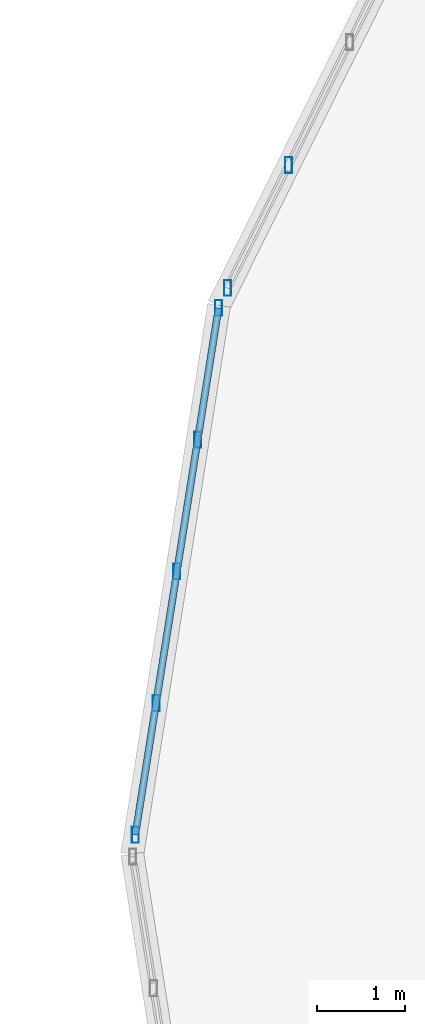
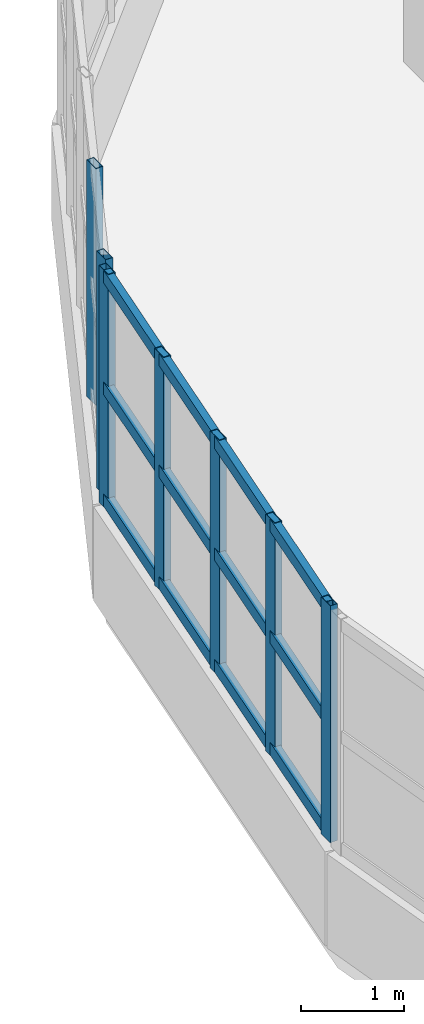
# One storey, part 11 of 52: 10 members, 2 elements without a shape of their own.
"""IFC4 building model written with IfcOpenShell, lengths in metres."""

from ifc_helpers import new_model, si_unit, direction, frame, origin, origin_2d, place, context, subcontext, project, spatial, hollow_rectangle, extrude, material, material_profile, profile_set, type_object, element, aggregate, save


model = new_model("IFC4")

# Units and contexts
model_context = context("Model", 3, precision=1e-05, world=origin(), true_north=direction((0.0, 1.0)))
body_context = subcontext(model_context, "Body", "Model", "MODEL_VIEW")
ifc_project = project(units=[si_unit("LENGTHUNIT", "METRE"), si_unit("AREAUNIT", "SQUARE_METRE"), si_unit("VOLUMEUNIT", "CUBIC_METRE"), si_unit("PLANEANGLEUNIT", "RADIAN"), si_unit("MASSUNIT", "GRAM", prefix="KILO")], contexts=[model_context])

# Site, building, storey
site_placement = place(None, origin())
site = spatial("IfcSite", under=ifc_project, at=site_placement, CompositionType="ELEMENT")
building_placement = place(site_placement, origin())
building = spatial("IfcBuilding", under=site, at=building_placement, Name="Solvento Point Concert Hall", CompositionType="ELEMENT")
storey_placement = place(building_placement, frame((0.0, 0.0, 19.5)))
storey = spatial("IfcBuildingStorey", under=building, at=storey_placement, Name="L04", CompositionType="ELEMENT", Elevation=19.5)

# Curtain wall, members
ifc_material_1 = material(Name="Anodized Bronze Aluminium", Category="aluminium")
curtain_wall_type = type_object("IfcCurtainWallType", Name="CurtainWall_RingRibbon_L03_04", PredefinedType="USERDEFINED", material=ifc_material_1)
curtain_wall_1_placement = place(storey_placement, origin())
curtain_wall_1 = element("IfcCurtainWall", 1, at=curtain_wall_1_placement, inside=storey, type_object=curtain_wall_type, Name="Unitised curtain wall CW-31 UCW-L04-215", ObjectType="UNITISED CURTAIN WALL", PredefinedType="USERDEFINED")
ifc_material_2 = material(Name="Anodized Bronze Aluminium", Category="aluminium")
ifc_material_profile_1 = material_profile(ifc_material_2, hollow_rectangle(XDim=0.080078125, YDim=0.179931640625, WallThickness=0.00390625, at=origin_2d()), Name="CW-MUL-80X180")
ifc_profile_set_1 = profile_set([ifc_material_profile_1], Name="Anodized Bronze Aluminium")
member_type_1 = type_object("IfcMemberType", Name="Mullion_80x180", PredefinedType="MULLION", material=ifc_profile_set_1)
member_1_placement = place(storey_placement, frame((32.434326171875, 30.417236328125, 1.1201171875), z_axis=(0.0, 0.0, 1.0), x_axis=(1.0, 0.0, 0.0)))
member_1 = element("IfcMember", 2, at=member_1_placement, type_object=member_type_1, Name="Curtain wall mullion ML-01", PredefinedType="MULLION", context=body_context, shape_type="SweptSolid", body=[
    extrude(hollow_rectangle(XDim=0.080078125, YDim=0.179931640625, WallThickness=0.00390625, at=origin_2d()), origin(), (0.0, 0.0, 1.0), 2.81982421875),
])
member_2_placement = place(storey_placement, frame((32.669921875, 31.908447265625, 1.1201171875), z_axis=(0.0, 0.0, 1.0), x_axis=(1.0, 0.0, 0.0)))
member_2 = element("IfcMember", 3, at=member_2_placement, type_object=member_type_1, Name="Curtain wall mullion ML-01", PredefinedType="MULLION", context=body_context, shape_type="SweptSolid", body=[
    extrude(hollow_rectangle(XDim=0.080078125, YDim=0.179931640625, WallThickness=0.00390625, at=origin_2d()), origin(), (0.0, 0.0, 1.0), 2.81982421875),
])
member_3_placement = place(storey_placement, frame((32.905517578125, 33.399658203125, 1.1201171875), z_axis=(0.0, 0.0, 1.0), x_axis=(1.0, 0.0, 0.0)))
member_3 = element("IfcMember", 4, at=member_3_placement, type_object=member_type_1, Name="Curtain wall mullion ML-01", PredefinedType="MULLION", context=body_context, shape_type="SweptSolid", body=[
    extrude(hollow_rectangle(XDim=0.080078125, YDim=0.179931640625, WallThickness=0.00390625, at=origin_2d()), origin(), (0.0, 0.0, 1.0), 2.81982421875),
])
member_4_placement = place(storey_placement, frame((33.14111328125, 34.890869140625, 1.1201171875), z_axis=(0.0, 0.0, 1.0), x_axis=(1.0, 0.0, 0.0)))
member_4 = element("IfcMember", 5, at=member_4_placement, type_object=member_type_1, Name="Curtain wall mullion ML-01", PredefinedType="MULLION", context=body_context, shape_type="SweptSolid", body=[
    extrude(hollow_rectangle(XDim=0.080078125, YDim=0.179931640625, WallThickness=0.00390625, at=origin_2d()), origin(), (0.0, 0.0, 1.0), 2.81982421875),
])
member_5_placement = place(storey_placement, frame((33.376708984375, 36.382080078125, 1.1201171875), z_axis=(0.0, 0.0, 1.0), x_axis=(1.0, 0.0, 0.0)))
member_5 = element("IfcMember", 6, at=member_5_placement, type_object=member_type_1, Name="Curtain wall mullion ML-01", PredefinedType="MULLION", context=body_context, shape_type="SweptSolid", body=[
    extrude(hollow_rectangle(XDim=0.080078125, YDim=0.179931640625, WallThickness=0.00390625, at=origin_2d()), origin(), (0.0, 0.0, 1.0), 2.81982421875),
])

curtain_wall_2_placement = place(storey_placement, origin())
curtain_wall_2 = element("IfcCurtainWall", 7, at=curtain_wall_2_placement, inside=storey, type_object=curtain_wall_type, Name="Unitised curtain wall CW-31 UCW-L04-216", ObjectType="UNITISED CURTAIN WALL", PredefinedType="USERDEFINED")
member_6_placement = place(storey_placement, frame((33.479248046875, 36.608642578125, 1.1201171875), z_axis=(0.0, 0.0, 1.0), x_axis=(1.0, 0.0, 0.0)))
member_6 = element("IfcMember", 8, at=member_6_placement, type_object=member_type_1, Name="Curtain wall mullion ML-01", PredefinedType="MULLION", context=body_context, shape_type="SweptSolid", body=[
    extrude(hollow_rectangle(XDim=0.080078125, YDim=0.179931640625, WallThickness=0.00390625, at=origin_2d()), origin(), (0.0, 0.0, 1.0), 2.81982421875),
])
member_7_placement = place(storey_placement, frame((34.170654296875, 37.999755859375, 1.1201171875), z_axis=(0.0, 0.0, 1.0), x_axis=(1.0, 0.0, 0.0)))
member_7 = element("IfcMember", 9, at=member_7_placement, type_object=member_type_1, Name="Curtain wall mullion ML-01", PredefinedType="MULLION", context=body_context, shape_type="SweptSolid", body=[
    extrude(hollow_rectangle(XDim=0.080078125, YDim=0.179931640625, WallThickness=0.00390625, at=origin_2d()), origin(), (0.0, 0.0, 1.0), 2.81982421875),
])
aggregate(curtain_wall_2, [member_6, member_7])

# Member
ifc_material_3 = material(Name="Anodized Bronze Aluminium", Category="aluminium")
ifc_material_profile_2 = material_profile(ifc_material_3, hollow_rectangle(XDim=0.080078125, YDim=0.14990234375, WallThickness=0.00390625, at=origin_2d()), Name="CW-TRN-80X150")
ifc_profile_set_2 = profile_set([ifc_material_profile_2], Name="Anodized Bronze Aluminium")
member_type_2 = type_object("IfcMemberType", Name="Transom_80x150", PredefinedType="USERDEFINED", material=ifc_profile_set_2)
member_8_placement = place(storey_placement, frame((32.434326171875, 30.417236328125, 1.199951171875), z_axis=(0.15605391931, 0.987748537973, 0.0), x_axis=(-0.987748537973, 0.15605391931, 0.0)))
member_8 = element("IfcMember", 10, at=member_8_placement, type_object=member_type_2, Name="Curtain wall transom TR-01", ObjectType="TRANSOM", PredefinedType="USERDEFINED", context=body_context, shape_type="SweptSolid", body=[
    extrude(hollow_rectangle(XDim=0.080078125, YDim=0.14990234375, WallThickness=0.00390625, at=origin_2d()), origin(), (0.0, 0.0, 1.0), 6.038818359375),
])

member_9_placement = place(storey_placement, frame((32.434326171875, 30.417236328125, 2.530029296875), z_axis=(0.15605391931, 0.987748537973, 0.0), x_axis=(-0.987748537973, 0.15605391931, 0.0)))
member_9 = element("IfcMember", 11, at=member_9_placement, type_object=member_type_2, Name="Curtain wall transom TR-01", ObjectType="TRANSOM", PredefinedType="USERDEFINED", context=body_context, shape_type="SweptSolid", body=[
    extrude(hollow_rectangle(XDim=0.080078125, YDim=0.14990234375, WallThickness=0.00390625, at=origin_2d()), origin(), (0.0, 0.0, 1.0), 6.038818359375),
])

member_10_placement = place(storey_placement, frame((32.434326171875, 30.417236328125, 3.860107421875), z_axis=(0.15605391931, 0.987748537973, 0.0), x_axis=(-0.987748537973, 0.15605391931, 0.0)))
member_10 = element("IfcMember", 12, at=member_10_placement, type_object=member_type_2, Name="Curtain wall transom TR-01", ObjectType="TRANSOM", PredefinedType="USERDEFINED", context=body_context, shape_type="SweptSolid", body=[
    extrude(hollow_rectangle(XDim=0.080078125, YDim=0.14990234375, WallThickness=0.00390625, at=origin_2d()), origin(), (0.0, 0.0, 1.0), 6.038818359375),
])

aggregate(curtain_wall_1, [member_1, member_2, member_3, member_4, member_5, member_8, member_9, member_10])

save(model, "model.ifc")
